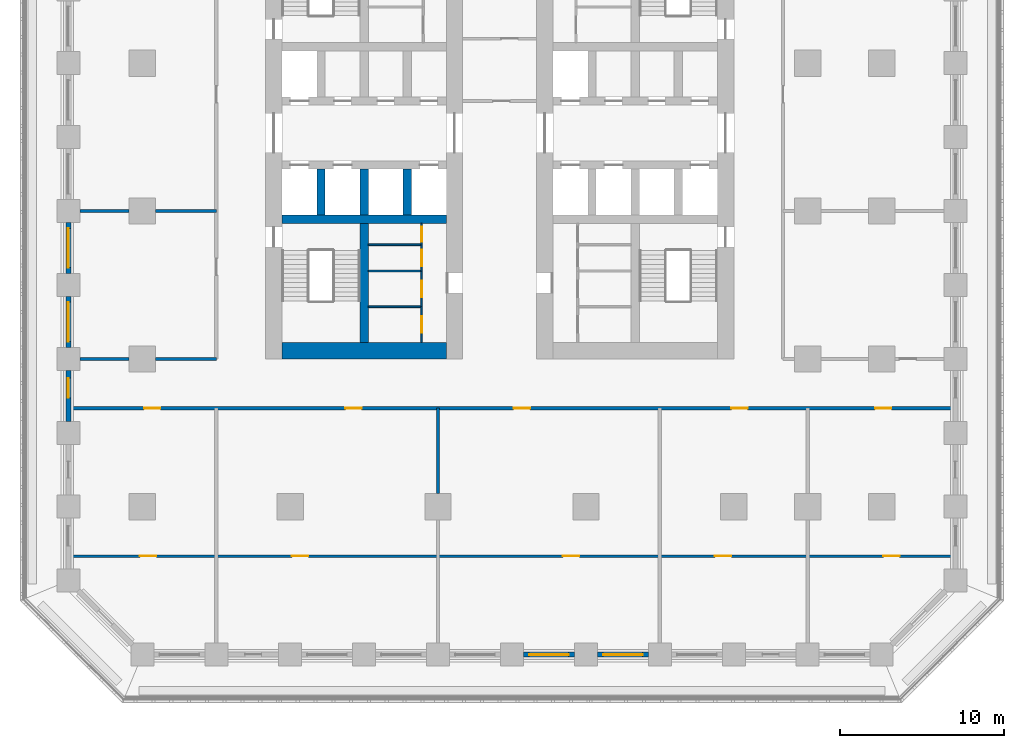
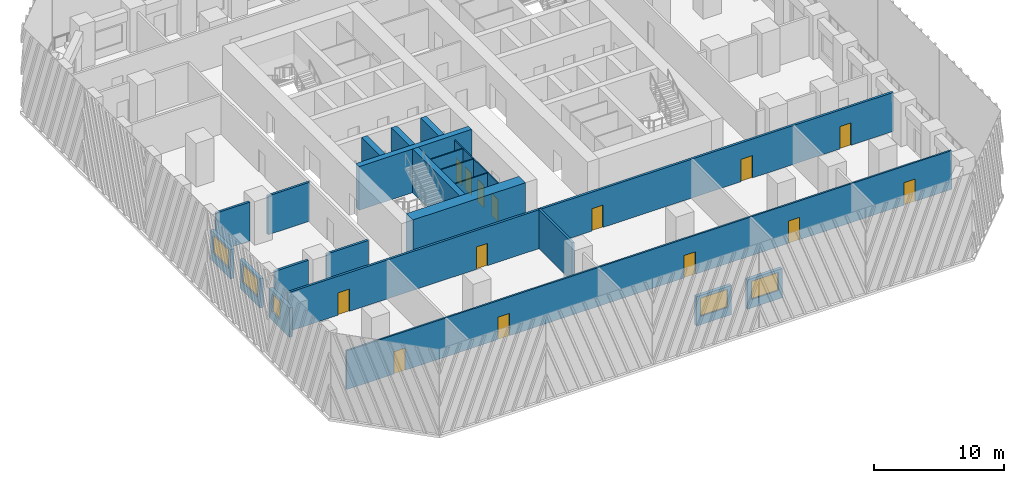
# One storey, part 3 of 14: 25 walls, 14 doors, 5 windows, 19 openings.
"""IFC4 building model written with IfcOpenShell, lengths in metres."""

from ifc_helpers import new_model, si_unit, direction, frame, frame_2d, origin, place, context, subcontext, project, spatial, rectangle, extrude, material, layer, layer_set, type_object, element, fill, save


model = new_model("IFC4")

# Units and contexts
model_context = context("Model", 3, precision=1e-05, world=origin(), true_north=direction((0.0, 1.0)))
body_context = subcontext(model_context, "Body", "Model", "MODEL_VIEW")
ifc_project = project(units=[si_unit("LENGTHUNIT", "METRE"), si_unit("AREAUNIT", "SQUARE_METRE"), si_unit("VOLUMEUNIT", "CUBIC_METRE"), si_unit("PLANEANGLEUNIT", "RADIAN"), si_unit("MASSUNIT", "GRAM", prefix="KILO")], contexts=[model_context])

# Site, building, storey
site_placement = place(None, origin())
site = spatial("IfcSite", under=ifc_project, at=site_placement, CompositionType="ELEMENT")
building_placement = place(site_placement, origin())
building = spatial("IfcBuilding", under=site, at=building_placement, Name="Corbel Stack Research Tower", CompositionType="ELEMENT")
storey_placement = place(building_placement, frame((0.0, 0.0, 50.10009765625)))
storey = spatial("IfcBuildingStorey", under=building, at=storey_placement, Name="L11", CompositionType="ELEMENT", Elevation=50.10009765625)

# Walls
ifc_material_1 = material(Name="Concrete C70/85", Category="concrete")
ifc_layer_1 = layer(ifc_material_1, 1.0)
ifc_layer_set_1 = layer_set([ifc_layer_1], Name="Concrete C70/85")
wall_type_1 = type_object("IfcWallType", Name="CW-1000-70", PredefinedType="SHEAR", material=ifc_layer_set_1)
wall_1_placement = place(storey_placement, frame((-9.5, -8.5, 0.0), z_axis=(0.0, 0.0, 1.0), x_axis=(1.0, 0.0, 0.0)))
element("IfcWall", 1, at=wall_1_placement, inside=storey, type_object=wall_type_1, Name="West core wall, south end L11", PredefinedType="SHEAR", context=body_context, shape_type="SweptSolid", body=[
    extrude(rectangle(XDim=10.0, YDim=1.0, at=frame_2d((5.0, 0.0))), origin(), (0.0, 0.0, 1.0), 4.099853515625),
])
ifc_material_2 = material(Name="Concrete C70/85", Category="concrete")
ifc_layer_2 = layer(ifc_material_2, 0.5)
ifc_layer_set_2 = layer_set([ifc_layer_2], Name="Concrete C70/85")
wall_type_2 = type_object("IfcWallType", Name="CW-500-70", PredefinedType="SHEAR", material=ifc_layer_set_2)
wall_2_placement = place(storey_placement, frame((-9.5, -0.5, 0.0), z_axis=(0.0, 0.0, 1.0), x_axis=(1.0, 0.0, 0.0)))
element("IfcWall", 2, at=wall_2_placement, inside=storey, type_object=wall_type_2, Name="West core wall, south row back L11", PredefinedType="SHEAR", context=body_context, shape_type="SweptSolid", body=[
    extrude(rectangle(XDim=10.0, YDim=0.5, at=frame_2d((5.0, 0.0))), origin(), (0.0, 0.0, 1.0), 4.099853515625),
])
for number, where, z_axis, x_axis, name in (
    (3, (-7.125, -0.25, 0.0), (0.0, 0.0, 1.0), (0.0, 1.0, 0.0), "West core wall, south shaft 1 L11"),
    (4, (-4.5, -0.25, 0.0), (0.0, 0.0, 1.0), (0.0, 1.0, 0.0), "West core wall, south shaft 2 L11"),
    (5, (-1.875, -0.25, 0.0), (0.0, 0.0, 1.0), (0.0, 1.0, 0.0), "West core wall, south shaft 3 L11"),
):
    element("IfcWall", number, at=place(storey_placement, frame(where, z_axis=z_axis, x_axis=x_axis)), inside=storey, type_object=wall_type_2, Name=name, PredefinedType="SHEAR", context=body_context, shape_type="SweptSolid", body=[
        extrude(rectangle(XDim=2.800048828125, YDim=0.5, at=frame_2d((1.39990234375, 0.0))), origin(), (0.0, 0.0, 1.0), 4.099853515625),
    ])
wall_3_placement = place(storey_placement, frame((-4.5, -8.0, 0.0), z_axis=(0.0, 0.0, 1.0), x_axis=(0.0, 1.0, 0.0)))
element("IfcWall", 6, at=wall_3_placement, inside=storey, type_object=wall_type_2, Name="West core wall, south stair and WC L11", PredefinedType="SHEAR", context=body_context, shape_type="SweptSolid", body=[
    extrude(rectangle(XDim=7.25, YDim=0.5, at=frame_2d((3.625, 0.0))), origin(), (0.0, 0.0, 1.0), 4.099853515625),
])

# Wall, opening, door
ifc_material_3 = material(Name="Gypsum board")
ifc_layer_3 = layer(ifc_material_3, 0.10009765625)
ifc_layer_set_3 = layer_set([ifc_layer_3], Name="Gypsum board")
wall_type_3 = type_object("IfcWallType", Name="Core partition 100", PredefinedType="PARTITIONING", material=ifc_layer_set_3)
wall_4_placement = place(storey_placement, frame((-1.0, -8.0, 0.0), z_axis=(0.0, 0.0, 1.0), x_axis=(0.0, 1.0, 0.0)))
wall_4 = element("IfcWall", 7, at=wall_4_placement, inside=storey, type_object=wall_type_3, Name="Core partition W", PredefinedType="PARTITIONING", context=body_context, shape_type="SweptSolid", body=[
    extrude(rectangle(XDim=2.175048828125, YDim=0.10009765625, at=frame_2d((1.08740234375, 0.0))), origin(), (0.0, 0.0, 1.0), 3.64990234375),
])
opening_1_placement = place(wall_4_placement, frame((0.58740234375, 0.0, 0.0)))
opening_1 = element("IfcOpeningElement", 8, at=opening_1_placement, cuts=wall_4, Name="Opening CR-W42-W2-1000", PredefinedType="OPENING", context=body_context, shape_type="SweptSolid", body=[
    extrude(rectangle(XDim=1.0, YDim=2.10009765625, at=frame_2d((0.5, 1.050048828125))), frame((0.0, 0.06005859375, 0.0), z_axis=(0.0, -1.0, 0.0), x_axis=(1.0, 0.0, 0.0)), (0.0, 0.0, 1.0), 0.1201171875),
])
ifc_material_4 = material(Name="Painted timber door", Category="wood")
door_type_1 = type_object("IfcDoorType", Name="WC door 1000 x 2100 right hand", OperationType="SINGLE_SWING_RIGHT", PredefinedType="DOOR", material=ifc_material_4)
door_1_placement = place(opening_1_placement, origin())
door_1 = element("IfcDoor", 9, at=door_1_placement, inside=storey, type_object=door_type_1, Name="Men's WC door W core", OperationType="SINGLE_SWING_RIGHT", OverallHeight=2.10009765625, OverallWidth=1.0, PredefinedType="DOOR", context=body_context, shape_type="SweptSolid", body=[
    extrude(rectangle(XDim=1.0, YDim=2.10009765625, at=frame_2d((0.5, 1.050048828125))), frame((0.0, 0.02490234375, 0.0), z_axis=(0.0, -1.0, 0.0), x_axis=(1.0, 0.0, 0.0)), (0.0, 0.0, 1.0), 0.050048828125),
])
fill(opening_1, door_1)

wall_5_placement = place(storey_placement, frame((-1.0, -5.824951171875, 0.0), z_axis=(0.0, 0.0, 1.0), x_axis=(0.0, 1.0, 0.0)))
wall_5 = element("IfcWall", 10, at=wall_5_placement, inside=storey, type_object=wall_type_3, Name="Core partition W", PredefinedType="PARTITIONING", context=body_context, shape_type="SweptSolid", body=[
    extrude(rectangle(XDim=2.175048828125, YDim=0.10009765625, at=frame_2d((1.08740234375, 0.0))), origin(), (0.0, 0.0, 1.0), 3.64990234375),
])
opening_2_placement = place(wall_5_placement, frame((0.58740234375, 0.0, 0.0)))
opening_2 = element("IfcOpeningElement", 11, at=opening_2_placement, cuts=wall_5, Name="Opening CR-W42-W3-1000", PredefinedType="OPENING", context=body_context, shape_type="SweptSolid", body=[
    extrude(rectangle(XDim=1.0, YDim=2.10009765625, at=frame_2d((0.5, 1.050048828125))), frame((0.0, 0.06005859375, 0.0), z_axis=(0.0, -1.0, 0.0), x_axis=(1.0, 0.0, 0.0)), (0.0, 0.0, 1.0), 0.1201171875),
])
ifc_material_5 = material(Name="Painted timber door", Category="wood")
door_type_2 = type_object("IfcDoorType", Name="WC door 1000 x 2100 left hand", OperationType="SINGLE_SWING_LEFT", PredefinedType="DOOR", material=ifc_material_5)
door_2_placement = place(opening_2_placement, origin())
door_2 = element("IfcDoor", 12, at=door_2_placement, inside=storey, type_object=door_type_2, Name="Women's WC door W core", OperationType="SINGLE_SWING_LEFT", OverallHeight=2.10009765625, OverallWidth=1.0, PredefinedType="DOOR", context=body_context, shape_type="SweptSolid", body=[
    extrude(rectangle(XDim=1.0, YDim=2.10009765625, at=frame_2d((0.5, 1.050048828125))), frame((0.0, 0.02490234375, 0.0), z_axis=(0.0, -1.0, 0.0), x_axis=(1.0, 0.0, 0.0)), (0.0, 0.0, 1.0), 0.050048828125),
])
fill(opening_2, door_2)

wall_6_placement = place(storey_placement, frame((-1.0, -3.64990234375, 0.0), z_axis=(0.0, 0.0, 1.0), x_axis=(0.0, 1.0, 0.0)))
wall_6 = element("IfcWall", 13, at=wall_6_placement, inside=storey, type_object=wall_type_3, Name="Core partition W", PredefinedType="PARTITIONING", context=body_context, shape_type="SweptSolid", body=[
    extrude(rectangle(XDim=1.594970703125, YDim=0.10009765625, at=frame_2d((0.79736328125, 0.0))), origin(), (0.0, 0.0, 1.0), 3.64990234375),
])
opening_3_placement = place(wall_6_placement, frame((0.297607421875, 0.0, 0.0)))
opening_3 = element("IfcOpeningElement", 14, at=opening_3_placement, cuts=wall_6, Name="Opening CR-W42-W4-1000", PredefinedType="OPENING", context=body_context, shape_type="SweptSolid", body=[
    extrude(rectangle(XDim=1.0, YDim=2.10009765625, at=frame_2d((0.5, 1.050048828125))), frame((0.0, 0.06005859375, 0.0), z_axis=(0.0, -1.0, 0.0), x_axis=(1.0, 0.0, 0.0)), (0.0, 0.0, 1.0), 0.1201171875),
])
door_3_placement = place(opening_3_placement, origin())
door_3 = element("IfcDoor", 15, at=door_3_placement, inside=storey, type_object=door_type_1, Name="Accessible WC door W core", OperationType="SINGLE_SWING_RIGHT", OverallHeight=2.10009765625, OverallWidth=1.0, PredefinedType="DOOR", context=body_context, shape_type="SweptSolid", body=[
    extrude(rectangle(XDim=1.0, YDim=2.10009765625, at=frame_2d((0.5, 1.050048828125))), frame((0.0, 0.02490234375, 0.0), z_axis=(0.0, -1.0, 0.0), x_axis=(1.0, 0.0, 0.0)), (0.0, 0.0, 1.0), 0.050048828125),
])
fill(opening_3, door_3)

wall_7_placement = place(storey_placement, frame((-1.0, -2.054931640625, 0.0), z_axis=(0.0, 0.0, 1.0), x_axis=(0.0, 1.0, 0.0)))
wall_7 = element("IfcWall", 16, at=wall_7_placement, inside=storey, type_object=wall_type_3, Name="Core partition W", PredefinedType="PARTITIONING", context=body_context, shape_type="SweptSolid", body=[
    extrude(rectangle(XDim=1.304931640625, YDim=0.10009765625, at=frame_2d((0.65234375, 0.0))), origin(), (0.0, 0.0, 1.0), 3.64990234375),
])
opening_4_placement = place(wall_7_placement, frame((0.199951171875, 0.0, 0.0)))
opening_4 = element("IfcOpeningElement", 17, at=opening_4_placement, cuts=wall_7, Name="Opening CR-W42-W5-905", PredefinedType="OPENING", context=body_context, shape_type="SweptSolid", body=[
    extrude(rectangle(XDim=0.905029296875, YDim=2.10009765625, at=frame_2d((0.45263671875, 1.050048828125))), frame((0.0, 0.06005859375, 0.0), z_axis=(0.0, -1.0, 0.0), x_axis=(1.0, 0.0, 0.0)), (0.0, 0.0, 1.0), 0.1201171875),
])
ifc_material_6 = material(Name="Painted steel door", Category="steel")
door_type_3 = type_object("IfcDoorType", Name="Service door 905 x 2100 FD30 left hand", OperationType="SINGLE_SWING_LEFT", PredefinedType="DOOR", material=ifc_material_6)
door_4_placement = place(opening_4_placement, origin())
door_4 = element("IfcDoor", 18, at=door_4_placement, inside=storey, type_object=door_type_3, Name="Cleaner's store door W core", OperationType="SINGLE_SWING_LEFT", OverallHeight=2.10009765625, OverallWidth=0.905029296875, PredefinedType="DOOR", context=body_context, shape_type="SweptSolid", body=[
    extrude(rectangle(XDim=0.905029296875, YDim=2.10009765625, at=frame_2d((0.45263671875, 1.050048828125))), frame((0.0, 0.02490234375, 0.0), z_axis=(0.0, -1.0, 0.0), x_axis=(1.0, 0.0, 0.0)), (0.0, 0.0, 1.0), 0.050048828125),
])
fill(opening_4, door_4)

# Walls
for number, where, z_axis, x_axis, name in (
    (19, (-4.25, -5.824951171875, 0.0), (0.0, 0.0, 1.0), (1.0, 0.0, 0.0), "Core partition W"),
    (20, (-4.25, -3.64990234375, 0.0), (0.0, 0.0, 1.0), (1.0, 0.0, 0.0), "Core partition W"),
    (21, (-4.25, -2.054931640625, 0.0), (0.0, 0.0, 1.0), (1.0, 0.0, 0.0), "Core partition W"),
):
    element("IfcWall", number, at=place(storey_placement, frame(where, z_axis=z_axis, x_axis=x_axis)), inside=storey, type_object=wall_type_3, Name=name, PredefinedType="PARTITIONING", context=body_context, shape_type="SweptSolid", body=[
        extrude(rectangle(XDim=3.25, YDim=0.10009765625, at=frame_2d((1.625, 0.0))), origin(), (0.0, 0.0, 1.0), 3.64990234375),
    ])
ifc_material_7 = material(Name="Fire-rated gypsum board partition on steel studs", Category="steel")
ifc_layer_4 = layer(ifc_material_7, 0.199951171875)
ifc_layer_set_4 = layer_set([ifc_layer_4], Name="Fire-rated gypsum board partition on steel studs")
wall_type_4 = type_object("IfcWallType", Name="Fire-rated partition 200 EI 60", PredefinedType="PARTITIONING", material=ifc_layer_set_4)
wall_8_placement = place(storey_placement, frame((0.0, -17.199951171875, 0.0), z_axis=(0.0, 0.0, 1.0), x_axis=(0.0, 1.0, 0.0)))
element("IfcWall", 22, at=wall_8_placement, inside=storey, type_object=wall_type_4, Name="Partition L11-005", PredefinedType="PARTITIONING", context=body_context, shape_type="SweptSolid", body=[
    extrude(rectangle(XDim=5.199951171875, YDim=0.199951171875, at=frame_2d((2.60009765625, 0.0))), origin(), (0.0, 0.0, 1.0), 3.64990234375),
])

# Wall, openings, doors
wall_9_placement = place(storey_placement, frame((31.35009765625, -12.0, 0.0), z_axis=(0.0, 0.0, 1.0), x_axis=(-1.0, 0.0, 0.0)))
wall_9 = element("IfcWall", 23, at=wall_9_placement, inside=storey, type_object=wall_type_4, Name="Partition L11-014", PredefinedType="PARTITIONING", context=body_context, shape_type="SweptSolid", body=[
    extrude(rectangle(XDim=53.7001953125, YDim=0.199951171875, at=frame_2d((26.85009765625, 0.0))), origin(), (0.0, 0.0, 1.0), 3.64990234375),
])
opening_5_placement = place(wall_9_placement, frame((48.25, 0.0, 0.0)))
opening_5 = element("IfcOpeningElement", 24, at=opening_5_placement, cuts=wall_9, Name="Opening B2V1-008", PredefinedType="OPENING", context=body_context, shape_type="SweptSolid", body=[
    extrude(rectangle(XDim=1.0, YDim=2.10009765625, at=frame_2d((0.5, 1.050048828125))), frame((0.0, 0.10986328125, 0.0), z_axis=(0.0, -1.0, 0.0), x_axis=(1.0, 0.0, 0.0)), (0.0, 0.0, 1.0), 0.219970703125),
])
opening_6_placement = place(wall_9_placement, frame((36.0, 0.0, 0.0)))
opening_6 = element("IfcOpeningElement", 25, at=opening_6_placement, cuts=wall_9, Name="Opening B2V1-009", PredefinedType="OPENING", context=body_context, shape_type="SweptSolid", body=[
    extrude(rectangle(XDim=1.0, YDim=2.10009765625, at=frame_2d((0.5, 1.050048828125))), frame((0.0, 0.10986328125, 0.0), z_axis=(0.0, -1.0, 0.0), x_axis=(1.0, 0.0, 0.0)), (0.0, 0.0, 1.0), 0.219970703125),
])
opening_7_placement = place(wall_9_placement, frame((25.75, 0.0, 0.0)))
opening_7 = element("IfcOpeningElement", 26, at=opening_7_placement, cuts=wall_9, Name="Opening B2V1-010", PredefinedType="OPENING", context=body_context, shape_type="SweptSolid", body=[
    extrude(rectangle(XDim=1.0, YDim=2.10009765625, at=frame_2d((0.5, 1.050048828125))), frame((0.0, 0.10986328125, 0.0), z_axis=(0.0, -1.0, 0.0), x_axis=(1.0, 0.0, 0.0)), (0.0, 0.0, 1.0), 0.219970703125),
])
opening_8_placement = place(wall_9_placement, frame((12.5, 0.0, 0.0)))
opening_8 = element("IfcOpeningElement", 27, at=opening_8_placement, cuts=wall_9, Name="Opening B2V1-011", PredefinedType="OPENING", context=body_context, shape_type="SweptSolid", body=[
    extrude(rectangle(XDim=1.0, YDim=2.10009765625, at=frame_2d((0.5, 1.050048828125))), frame((0.0, 0.10986328125, 0.0), z_axis=(0.0, -1.0, 0.0), x_axis=(1.0, 0.0, 0.0)), (0.0, 0.0, 1.0), 0.219970703125),
])
opening_9_placement = place(wall_9_placement, frame((3.75, 0.0, 0.0)))
opening_9 = element("IfcOpeningElement", 28, at=opening_9_placement, cuts=wall_9, Name="Opening B2V1-012", PredefinedType="OPENING", context=body_context, shape_type="SweptSolid", body=[
    extrude(rectangle(XDim=1.0, YDim=2.10009765625, at=frame_2d((0.5, 1.050048828125))), frame((0.0, 0.10986328125, 0.0), z_axis=(0.0, -1.0, 0.0), x_axis=(1.0, 0.0, 0.0)), (0.0, 0.0, 1.0), 0.219970703125),
])
ifc_material_8 = material(Name="Painted steel fire door", Category="steel")
door_type_4 = type_object("IfcDoorType", Name="Fire door FD30S 1000 x 2100", OperationType="NOTDEFINED", PredefinedType="DOOR", material=ifc_material_8)
door_5_placement = place(opening_5_placement, origin())
door_5 = element("IfcDoor", 29, at=door_5_placement, inside=storey, type_object=door_type_4, Name="Door B2V1-008", OperationType="SINGLE_SWING_RIGHT", OverallHeight=2.10009765625, OverallWidth=1.0, PredefinedType="DOOR", context=body_context, shape_type="SweptSolid", body=[
    extrude(rectangle(XDim=1.0, YDim=2.10009765625, at=frame_2d((0.5, 1.050048828125))), frame((0.0, 0.02490234375, 0.0), z_axis=(0.0, -1.0, 0.0), x_axis=(1.0, 0.0, 0.0)), (0.0, 0.0, 1.0), 0.050048828125),
])
fill(opening_5, door_5)
door_6_placement = place(opening_6_placement, origin())
door_6 = element("IfcDoor", 30, at=door_6_placement, inside=storey, type_object=door_type_4, Name="Door B2V1-009", OperationType="SINGLE_SWING_RIGHT", OverallHeight=2.10009765625, OverallWidth=1.0, PredefinedType="DOOR", context=body_context, shape_type="SweptSolid", body=[
    extrude(rectangle(XDim=1.0, YDim=2.10009765625, at=frame_2d((0.5, 1.050048828125))), frame((0.0, 0.02490234375, 0.0), z_axis=(0.0, -1.0, 0.0), x_axis=(1.0, 0.0, 0.0)), (0.0, 0.0, 1.0), 0.050048828125),
])
fill(opening_6, door_6)
door_7_placement = place(opening_7_placement, origin())
door_7 = element("IfcDoor", 31, at=door_7_placement, inside=storey, type_object=door_type_4, Name="Door B2V1-010", OperationType="SINGLE_SWING_LEFT", OverallHeight=2.10009765625, OverallWidth=1.0, PredefinedType="DOOR", context=body_context, shape_type="SweptSolid", body=[
    extrude(rectangle(XDim=1.0, YDim=2.10009765625, at=frame_2d((0.5, 1.050048828125))), frame((0.0, 0.02490234375, 0.0), z_axis=(0.0, -1.0, 0.0), x_axis=(1.0, 0.0, 0.0)), (0.0, 0.0, 1.0), 0.050048828125),
])
fill(opening_7, door_7)
door_8_placement = place(opening_8_placement, origin())
door_8 = element("IfcDoor", 32, at=door_8_placement, inside=storey, type_object=door_type_4, Name="Door B2V1-011", OperationType="SINGLE_SWING_LEFT", OverallHeight=2.10009765625, OverallWidth=1.0, PredefinedType="DOOR", context=body_context, shape_type="SweptSolid", body=[
    extrude(rectangle(XDim=1.0, YDim=2.10009765625, at=frame_2d((0.5, 1.050048828125))), frame((0.0, 0.02490234375, 0.0), z_axis=(0.0, -1.0, 0.0), x_axis=(1.0, 0.0, 0.0)), (0.0, 0.0, 1.0), 0.050048828125),
])
fill(opening_8, door_8)
door_9_placement = place(opening_9_placement, origin())
door_9 = element("IfcDoor", 33, at=door_9_placement, inside=storey, type_object=door_type_4, Name="Door B2V1-012", OperationType="SINGLE_SWING_LEFT", OverallHeight=2.10009765625, OverallWidth=1.0, PredefinedType="DOOR", context=body_context, shape_type="SweptSolid", body=[
    extrude(rectangle(XDim=1.0, YDim=2.10009765625, at=frame_2d((0.5, 1.050048828125))), frame((0.0, 0.02490234375, 0.0), z_axis=(0.0, -1.0, 0.0), x_axis=(1.0, 0.0, 0.0)), (0.0, 0.0, 1.0), 0.050048828125),
])
fill(opening_9, door_9)

# Walls
wall_10_placement = place(storey_placement, frame((-21.800048828125, -9.0, 0.0), z_axis=(0.0, 0.0, 1.0), x_axis=(1.0, 0.0, 0.0)))
element("IfcWall", 34, at=wall_10_placement, inside=storey, type_object=wall_type_4, Name="Partition L11-015", PredefinedType="PARTITIONING", context=body_context, shape_type="SweptSolid", body=[
    extrude(rectangle(XDim=3.0, YDim=0.199951171875, at=frame_2d((1.5, 0.0))), origin(), (0.0, 0.0, 1.0), 3.64990234375),
])
wall_11_placement = place(storey_placement, frame((-17.199951171875, -9.0, 0.0), z_axis=(0.0, 0.0, 1.0), x_axis=(1.0, 0.0, 0.0)))
element("IfcWall", 35, at=wall_11_placement, inside=storey, type_object=wall_type_4, Name="Partition L11-016", PredefinedType="PARTITIONING", context=body_context, shape_type="SweptSolid", body=[
    extrude(rectangle(XDim=3.699951171875, YDim=0.199951171875, at=frame_2d((1.85009765625, 0.0))), origin(), (0.0, 0.0, 1.0), 3.64990234375),
])
wall_12_placement = place(storey_placement, frame((-21.800048828125, 0.0, 0.0), z_axis=(0.0, 0.0, 1.0), x_axis=(1.0, 0.0, 0.0)))
element("IfcWall", 36, at=wall_12_placement, inside=storey, type_object=wall_type_4, Name="Partition L11-020", PredefinedType="PARTITIONING", context=body_context, shape_type="SweptSolid", body=[
    extrude(rectangle(XDim=3.0, YDim=0.199951171875, at=frame_2d((1.5, 0.0))), origin(), (0.0, 0.0, 1.0), 3.64990234375),
])
wall_13_placement = place(storey_placement, frame((-17.199951171875, 0.0, 0.0), z_axis=(0.0, 0.0, 1.0), x_axis=(1.0, 0.0, 0.0)))
element("IfcWall", 37, at=wall_13_placement, inside=storey, type_object=wall_type_4, Name="Partition L11-021", PredefinedType="PARTITIONING", context=body_context, shape_type="SweptSolid", body=[
    extrude(rectangle(XDim=3.699951171875, YDim=0.199951171875, at=frame_2d((1.85009765625, 0.0))), origin(), (0.0, 0.0, 1.0), 3.64990234375),
])

# Wall, openings, doors
ifc_material_9 = material(Name="Gypsum board partition on steel studs", Category="steel")
ifc_layer_5 = layer(ifc_material_9, 0.14990234375)
ifc_layer_set_5 = layer_set([ifc_layer_5], Name="Gypsum board partition on steel studs")
wall_type_5 = type_object("IfcWallType", Name="Partition 150", PredefinedType="PARTITIONING", material=ifc_layer_set_5)
wall_14_placement = place(storey_placement, frame((31.35009765625, -21.0, 0.0), z_axis=(0.0, 0.0, 1.0), x_axis=(-1.0, 0.0, 0.0)))
wall_14 = element("IfcWall", 38, at=wall_14_placement, inside=storey, type_object=wall_type_5, Name="Partition L11-013", PredefinedType="PARTITIONING", context=body_context, shape_type="SweptSolid", body=[
    extrude(rectangle(XDim=53.7001953125, YDim=0.14990234375, at=frame_2d((26.85009765625, 0.0))), origin(), (0.0, 0.0, 1.0), 3.64990234375),
])
opening_10_placement = place(wall_14_placement, frame((48.5, 0.0, 0.0)))
opening_10 = element("IfcOpeningElement", 39, at=opening_10_placement, cuts=wall_14, Name="Opening B2V1-001", PredefinedType="OPENING", context=body_context, shape_type="SweptSolid", body=[
    extrude(rectangle(XDim=1.0, YDim=2.10009765625, at=frame_2d((0.5, 1.050048828125))), frame((0.0, 0.0849609375, 0.0), z_axis=(0.0, -1.0, 0.0), x_axis=(1.0, 0.0, 0.0)), (0.0, 0.0, 1.0), 0.169921875),
])
opening_11_placement = place(wall_14_placement, frame((39.25, 0.0, 0.0)))
opening_11 = element("IfcOpeningElement", 40, at=opening_11_placement, cuts=wall_14, Name="Opening B2V1-002", PredefinedType="OPENING", context=body_context, shape_type="SweptSolid", body=[
    extrude(rectangle(XDim=1.0, YDim=2.10009765625, at=frame_2d((0.5, 1.050048828125))), frame((0.0, 0.0849609375, 0.0), z_axis=(0.0, -1.0, 0.0), x_axis=(1.0, 0.0, 0.0)), (0.0, 0.0, 1.0), 0.169921875),
])
opening_12_placement = place(wall_14_placement, frame((22.75, 0.0, 0.0)))
opening_12 = element("IfcOpeningElement", 41, at=opening_12_placement, cuts=wall_14, Name="Opening B2V1-003", PredefinedType="OPENING", context=body_context, shape_type="SweptSolid", body=[
    extrude(rectangle(XDim=1.0, YDim=2.10009765625, at=frame_2d((0.5, 1.050048828125))), frame((0.0, 0.0849609375, 0.0), z_axis=(0.0, -1.0, 0.0), x_axis=(1.0, 0.0, 0.0)), (0.0, 0.0, 1.0), 0.169921875),
])
opening_13_placement = place(wall_14_placement, frame((13.5, 0.0, 0.0)))
opening_13 = element("IfcOpeningElement", 42, at=opening_13_placement, cuts=wall_14, Name="Opening B2V1-004", PredefinedType="OPENING", context=body_context, shape_type="SweptSolid", body=[
    extrude(rectangle(XDim=1.0, YDim=2.10009765625, at=frame_2d((0.5, 1.050048828125))), frame((0.0, 0.0849609375, 0.0), z_axis=(0.0, -1.0, 0.0), x_axis=(1.0, 0.0, 0.0)), (0.0, 0.0, 1.0), 0.169921875),
])
opening_14_placement = place(wall_14_placement, frame((3.25, 0.0, 0.0)))
opening_14 = element("IfcOpeningElement", 43, at=opening_14_placement, cuts=wall_14, Name="Opening B2V1-005", PredefinedType="OPENING", context=body_context, shape_type="SweptSolid", body=[
    extrude(rectangle(XDim=1.0, YDim=2.10009765625, at=frame_2d((0.5, 1.050048828125))), frame((0.0, 0.0849609375, 0.0), z_axis=(0.0, -1.0, 0.0), x_axis=(1.0, 0.0, 0.0)), (0.0, 0.0, 1.0), 0.169921875),
])
ifc_material_10 = material(Name="Painted timber door", Category="wood")
door_type_5 = type_object("IfcDoorType", Name="Single door 1000 x 2100", OperationType="NOTDEFINED", PredefinedType="DOOR", material=ifc_material_10)
door_10_placement = place(opening_10_placement, origin())
door_10 = element("IfcDoor", 44, at=door_10_placement, inside=storey, type_object=door_type_5, Name="Door B2V1-001", OperationType="SINGLE_SWING_RIGHT", OverallHeight=2.10009765625, OverallWidth=1.0, PredefinedType="DOOR", context=body_context, shape_type="SweptSolid", body=[
    extrude(rectangle(XDim=1.0, YDim=2.10009765625, at=frame_2d((0.5, 1.050048828125))), frame((0.0, 0.02490234375, 0.0), z_axis=(0.0, -1.0, 0.0), x_axis=(1.0, 0.0, 0.0)), (0.0, 0.0, 1.0), 0.050048828125),
])
fill(opening_10, door_10)
door_11_placement = place(opening_11_placement, origin())
door_11 = element("IfcDoor", 45, at=door_11_placement, inside=storey, type_object=door_type_5, Name="Door B2V1-002", OperationType="SINGLE_SWING_RIGHT", OverallHeight=2.10009765625, OverallWidth=1.0, PredefinedType="DOOR", context=body_context, shape_type="SweptSolid", body=[
    extrude(rectangle(XDim=1.0, YDim=2.10009765625, at=frame_2d((0.5, 1.050048828125))), frame((0.0, 0.02490234375, 0.0), z_axis=(0.0, -1.0, 0.0), x_axis=(1.0, 0.0, 0.0)), (0.0, 0.0, 1.0), 0.050048828125),
])
fill(opening_11, door_11)
door_12_placement = place(opening_12_placement, origin())
door_12 = element("IfcDoor", 46, at=door_12_placement, inside=storey, type_object=door_type_5, Name="Door B2V1-003", OperationType="SINGLE_SWING_LEFT", OverallHeight=2.10009765625, OverallWidth=1.0, PredefinedType="DOOR", context=body_context, shape_type="SweptSolid", body=[
    extrude(rectangle(XDim=1.0, YDim=2.10009765625, at=frame_2d((0.5, 1.050048828125))), frame((0.0, 0.02490234375, 0.0), z_axis=(0.0, -1.0, 0.0), x_axis=(1.0, 0.0, 0.0)), (0.0, 0.0, 1.0), 0.050048828125),
])
fill(opening_12, door_12)
door_13_placement = place(opening_13_placement, origin())
door_13 = element("IfcDoor", 47, at=door_13_placement, inside=storey, type_object=door_type_5, Name="Door B2V1-004", OperationType="SINGLE_SWING_LEFT", OverallHeight=2.10009765625, OverallWidth=1.0, PredefinedType="DOOR", context=body_context, shape_type="SweptSolid", body=[
    extrude(rectangle(XDim=1.0, YDim=2.10009765625, at=frame_2d((0.5, 1.050048828125))), frame((0.0, 0.02490234375, 0.0), z_axis=(0.0, -1.0, 0.0), x_axis=(1.0, 0.0, 0.0)), (0.0, 0.0, 1.0), 0.050048828125),
])
fill(opening_13, door_13)
door_14_placement = place(opening_14_placement, origin())
door_14 = element("IfcDoor", 48, at=door_14_placement, inside=storey, type_object=door_type_5, Name="Door B2V1-005", OperationType="SINGLE_SWING_LEFT", OverallHeight=2.10009765625, OverallWidth=1.0, PredefinedType="DOOR", context=body_context, shape_type="SweptSolid", body=[
    extrude(rectangle(XDim=1.0, YDim=2.10009765625, at=frame_2d((0.5, 1.050048828125))), frame((0.0, 0.02490234375, 0.0), z_axis=(0.0, -1.0, 0.0), x_axis=(1.0, 0.0, 0.0)), (0.0, 0.0, 1.0), 0.050048828125),
])
fill(opening_14, door_14)

# Wall, opening, window
ifc_material_11 = material(Name="Concrete C45/55", Category="concrete")
ifc_layer_6 = layer(ifc_material_11, 0.300048828125)
ifc_layer_set_6 = layer_set([ifc_layer_6], Name="Concrete C45/55")
wall_type_6 = type_object("IfcWallType", Name="Terracotta-faced concrete wall 300", PredefinedType="SOLIDWALL", material=ifc_layer_set_6)
wall_15_placement = place(storey_placement, frame((8.300048828125, -27.0, 0.0), z_axis=(0.0, 0.0, 1.0), x_axis=(-1.0, 0.0, 0.0)))
wall_15 = element("IfcWall", 49, at=wall_15_placement, inside=storey, type_object=wall_type_6, Name="Facade wall L11 S06", PredefinedType="SOLIDWALL", context=body_context, shape_type="SweptSolid", body=[
    extrude(rectangle(XDim=3.10009765625, YDim=0.300048828125, at=frame_2d((1.550048828125, 0.0))), origin(), (0.0, 0.0, 1.0), 2.75),
])
opening_15_placement = place(wall_15_placement, frame((0.35009765625, 0.0, 0.800048828125)))
opening_15 = element("IfcOpeningElement", 50, at=opening_15_placement, cuts=wall_15, Name="Opening W1", PredefinedType="OPENING", context=body_context, shape_type="SweptSolid", body=[
    extrude(rectangle(XDim=2.39990234375, YDim=1.699951171875, at=frame_2d((1.199951171875, 0.85009765625))), frame((0.0, 0.159912109375, 0.0), z_axis=(0.0, -1.0, 0.0), x_axis=(1.0, 0.0, 0.0)), (0.0, 0.0, 1.0), 0.320068359375),
])
ifc_material_12 = material(Name="Aluminium frame, clear double glazing", Category="aluminium")
window_type_1 = type_object("IfcWindowType", Name="Window W1 2400 x 1700", PartitioningType="SINGLE_PANEL", PredefinedType="WINDOW", material=ifc_material_12)
window_1_placement = place(opening_15_placement, origin())
window_1 = element("IfcWindow", 51, at=window_1_placement, inside=storey, type_object=window_type_1, Name="Window W1 L11 S06", OverallHeight=1.699951171875, OverallWidth=2.39990234375, PartitioningType="SINGLE_PANEL", PredefinedType="WINDOW", context=body_context, shape_type="SweptSolid", body=[
    extrude(rectangle(XDim=2.39990234375, YDim=1.699951171875, at=frame_2d((1.199951171875, 0.85009765625))), frame((0.0, 0.030029296875, 0.0), z_axis=(0.0, -1.0, 0.0), x_axis=(1.0, 0.0, 0.0)), (0.0, 0.0, 1.0), 0.06005859375),
])
fill(opening_15, window_1)

wall_16_placement = place(storey_placement, frame((12.800048828125, -27.0, 0.0), z_axis=(0.0, 0.0, 1.0), x_axis=(-1.0, 0.0, 0.0)))
wall_16 = element("IfcWall", 52, at=wall_16_placement, inside=storey, type_object=wall_type_6, Name="Facade wall L11 S07", PredefinedType="SOLIDWALL", context=body_context, shape_type="SweptSolid", body=[
    extrude(rectangle(XDim=3.10009765625, YDim=0.300048828125, at=frame_2d((1.550048828125, 0.0))), origin(), (0.0, 0.0, 1.0), 2.75),
])
opening_16_placement = place(wall_16_placement, frame((0.35009765625, 0.0, 0.800048828125)))
opening_16 = element("IfcOpeningElement", 53, at=opening_16_placement, cuts=wall_16, Name="Opening W1", PredefinedType="OPENING", context=body_context, shape_type="SweptSolid", body=[
    extrude(rectangle(XDim=2.39990234375, YDim=1.699951171875, at=frame_2d((1.199951171875, 0.85009765625))), frame((0.0, 0.159912109375, 0.0), z_axis=(0.0, -1.0, 0.0), x_axis=(1.0, 0.0, 0.0)), (0.0, 0.0, 1.0), 0.320068359375),
])
window_2_placement = place(opening_16_placement, origin())
window_2 = element("IfcWindow", 54, at=window_2_placement, inside=storey, type_object=window_type_1, Name="Window W1 L11 S07", OverallHeight=1.699951171875, OverallWidth=2.39990234375, PartitioningType="SINGLE_PANEL", PredefinedType="WINDOW", context=body_context, shape_type="SweptSolid", body=[
    extrude(rectangle(XDim=2.39990234375, YDim=1.699951171875, at=frame_2d((1.199951171875, 0.85009765625))), frame((0.0, 0.030029296875, 0.0), z_axis=(0.0, -1.0, 0.0), x_axis=(1.0, 0.0, 0.0)), (0.0, 0.0, 1.0), 0.06005859375),
])
fill(opening_16, window_2)

wall_17_placement = place(storey_placement, frame((-22.5, -3.800048828125, 0.0), z_axis=(0.0, 0.0, 1.0), x_axis=(0.0, 1.0, 0.0)))
wall_17 = element("IfcWall", 55, at=wall_17_placement, inside=storey, type_object=wall_type_6, Name="Facade wall L11 W06", PredefinedType="SOLIDWALL", context=body_context, shape_type="SweptSolid", body=[
    extrude(rectangle(XDim=3.10009765625, YDim=0.300048828125, at=frame_2d((1.550048828125, 0.0))), origin(), (0.0, 0.0, 1.0), 2.75),
])
opening_17_placement = place(wall_17_placement, frame((0.35009765625, 0.0, 0.800048828125)))
opening_17 = element("IfcOpeningElement", 56, at=opening_17_placement, cuts=wall_17, Name="Opening W1", PredefinedType="OPENING", context=body_context, shape_type="SweptSolid", body=[
    extrude(rectangle(XDim=2.39990234375, YDim=1.699951171875, at=frame_2d((1.199951171875, 0.85009765625))), frame((0.0, 0.159912109375, 0.0), z_axis=(0.0, -1.0, 0.0), x_axis=(1.0, 0.0, 0.0)), (0.0, 0.0, 1.0), 0.320068359375),
])
window_3_placement = place(opening_17_placement, origin())
window_3 = element("IfcWindow", 57, at=window_3_placement, inside=storey, type_object=window_type_1, Name="Window W1 L11 W06", OverallHeight=1.699951171875, OverallWidth=2.39990234375, PartitioningType="SINGLE_PANEL", PredefinedType="WINDOW", context=body_context, shape_type="SweptSolid", body=[
    extrude(rectangle(XDim=2.39990234375, YDim=1.699951171875, at=frame_2d((1.199951171875, 0.85009765625))), frame((0.0, 0.030029296875, 0.0), z_axis=(0.0, -1.0, 0.0), x_axis=(1.0, 0.0, 0.0)), (0.0, 0.0, 1.0), 0.06005859375),
])
fill(opening_17, window_3)

wall_18_placement = place(storey_placement, frame((-22.5, -8.300048828125, 0.0), z_axis=(0.0, 0.0, 1.0), x_axis=(0.0, 1.0, 0.0)))
wall_18 = element("IfcWall", 58, at=wall_18_placement, inside=storey, type_object=wall_type_6, Name="Facade wall L11 W07", PredefinedType="SOLIDWALL", context=body_context, shape_type="SweptSolid", body=[
    extrude(rectangle(XDim=3.10009765625, YDim=0.300048828125, at=frame_2d((1.550048828125, 0.0))), origin(), (0.0, 0.0, 1.0), 2.75),
])
opening_18_placement = place(wall_18_placement, frame((0.35009765625, 0.0, 0.800048828125)))
opening_18 = element("IfcOpeningElement", 59, at=opening_18_placement, cuts=wall_18, Name="Opening W1", PredefinedType="OPENING", context=body_context, shape_type="SweptSolid", body=[
    extrude(rectangle(XDim=2.39990234375, YDim=1.699951171875, at=frame_2d((1.199951171875, 0.85009765625))), frame((0.0, 0.159912109375, 0.0), z_axis=(0.0, -1.0, 0.0), x_axis=(1.0, 0.0, 0.0)), (0.0, 0.0, 1.0), 0.320068359375),
])
window_4_placement = place(opening_18_placement, origin())
window_4 = element("IfcWindow", 60, at=window_4_placement, inside=storey, type_object=window_type_1, Name="Window W1 L11 W07", OverallHeight=1.699951171875, OverallWidth=2.39990234375, PartitioningType="SINGLE_PANEL", PredefinedType="WINDOW", context=body_context, shape_type="SweptSolid", body=[
    extrude(rectangle(XDim=2.39990234375, YDim=1.699951171875, at=frame_2d((1.199951171875, 0.85009765625))), frame((0.0, 0.030029296875, 0.0), z_axis=(0.0, -1.0, 0.0), x_axis=(1.0, 0.0, 0.0)), (0.0, 0.0, 1.0), 0.06005859375),
])
fill(opening_18, window_4)

wall_19_placement = place(storey_placement, frame((-22.5, -12.800048828125, 0.0), z_axis=(0.0, 0.0, 1.0), x_axis=(0.0, 1.0, 0.0)))
wall_19 = element("IfcWall", 61, at=wall_19_placement, inside=storey, type_object=wall_type_6, Name="Facade wall L11 W08", PredefinedType="SOLIDWALL", context=body_context, shape_type="SweptSolid", body=[
    extrude(rectangle(XDim=3.10009765625, YDim=0.300048828125, at=frame_2d((1.550048828125, 0.0))), origin(), (0.0, 0.0, 1.0), 2.75),
])
opening_19_placement = place(wall_19_placement, frame((1.425048828125, 0.0, 0.800048828125)))
opening_19 = element("IfcOpeningElement", 62, at=opening_19_placement, cuts=wall_19, Name="Opening W2", PredefinedType="OPENING", context=body_context, shape_type="SweptSolid", body=[
    extrude(rectangle(XDim=1.199951171875, YDim=1.699951171875, at=frame_2d((0.60009765625, 0.85009765625))), frame((0.0, 0.159912109375, 0.0), z_axis=(0.0, -1.0, 0.0), x_axis=(1.0, 0.0, 0.0)), (0.0, 0.0, 1.0), 0.320068359375),
])
ifc_material_13 = material(Name="Aluminium frame, clear double glazing", Category="aluminium")
window_type_2 = type_object("IfcWindowType", Name="Window W2 1200 x 1700", PartitioningType="SINGLE_PANEL", PredefinedType="WINDOW", material=ifc_material_13)
window_5_placement = place(opening_19_placement, origin())
window_5 = element("IfcWindow", 63, at=window_5_placement, inside=storey, type_object=window_type_2, Name="Window W2 L11 W08", OverallHeight=1.699951171875, OverallWidth=1.199951171875, PartitioningType="SINGLE_PANEL", PredefinedType="WINDOW", context=body_context, shape_type="SweptSolid", body=[
    extrude(rectangle(XDim=1.199951171875, YDim=1.699951171875, at=frame_2d((0.60009765625, 0.85009765625))), frame((0.0, 0.030029296875, 0.0), z_axis=(0.0, -1.0, 0.0), x_axis=(1.0, 0.0, 0.0)), (0.0, 0.0, 1.0), 0.06005859375),
])
fill(opening_19, window_5)

save(model, "model.ifc")
